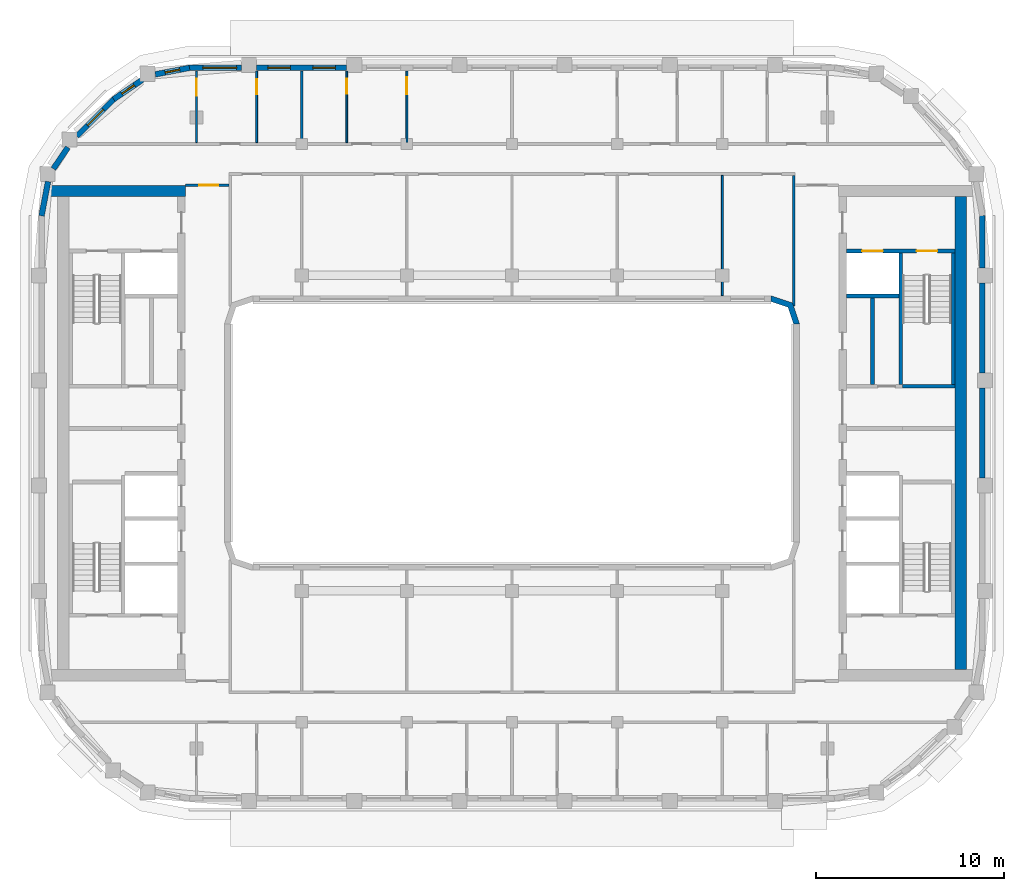
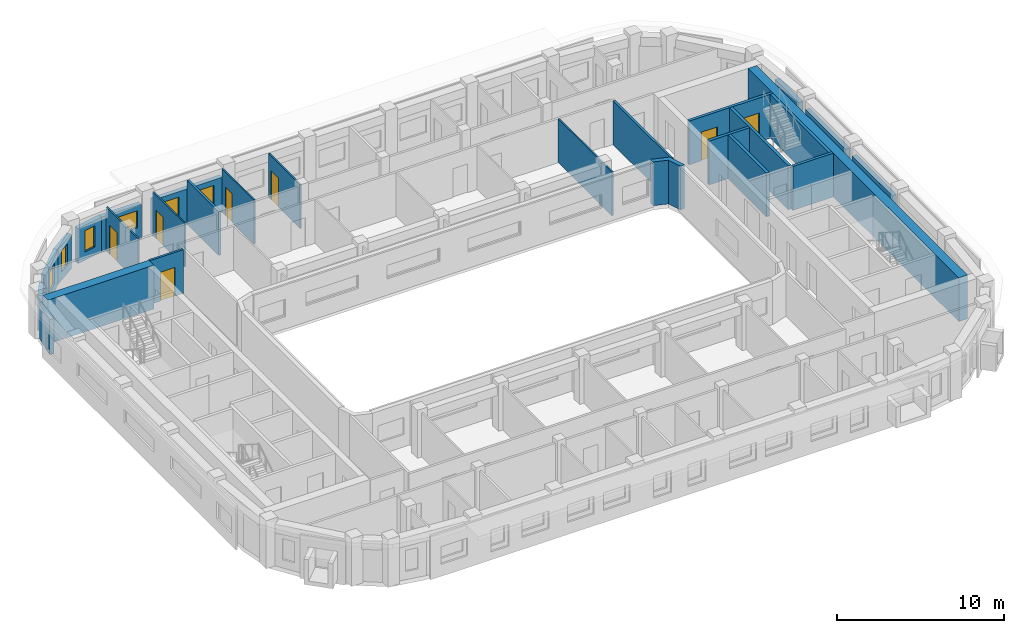
# One storey, part 6 of 15: 27 walls, 7 doors, 6 windows, 13 openings.
"""IFC4 building model written with IfcOpenShell, lengths in metres."""

from ifc_helpers import new_model, si_unit, direction, frame, frame_2d, origin, place, context, subcontext, project, spatial, polyline, rectangle, outline, extrude, material, layer, layer_set, type_object, element, fill, save


model = new_model("IFC4")

# Units and contexts
model_context = context("Model", 3, precision=1e-05, world=origin(), true_north=direction((0.0, 1.0)))
body_context = subcontext(model_context, "Body", "Model", "MODEL_VIEW")
ifc_project = project(units=[si_unit("LENGTHUNIT", "METRE"), si_unit("AREAUNIT", "SQUARE_METRE"), si_unit("VOLUMEUNIT", "CUBIC_METRE"), si_unit("PLANEANGLEUNIT", "RADIAN"), si_unit("MASSUNIT", "GRAM", prefix="KILO")], contexts=[model_context])

# Site, building, storey
site_placement = place(None, origin())
site = spatial("IfcSite", under=ifc_project, at=site_placement, CompositionType="ELEMENT")
building_placement = place(site_placement, origin())
building = spatial("IfcBuilding", under=site, at=building_placement, Name="Kiln Ring Residences", CompositionType="ELEMENT")
storey_placement = place(building_placement, frame((0.0, 0.0, 248.699951171875)))
storey = spatial("IfcBuildingStorey", under=building, at=storey_placement, Name="L64", CompositionType="ELEMENT", Elevation=248.699951171875)

# Walls
ifc_material_1 = material(Name="Gypsum board on steel studs", Category="steel")
ifc_layer_1 = layer(ifc_material_1, 0.199951171875)
ifc_layer_set_1 = layer_set([ifc_layer_1], Name="CORE-PARTITION-200")
wall_type_1 = type_object("IfcWallType", Name="CORE-PARTITION-200", PredefinedType="PARTITIONING", material=ifc_layer_set_1)
wall_1_placement = place(storey_placement, frame((19.199951171875, 2.60009765625, 0.0), z_axis=(0.0, 0.0, 1.0), x_axis=(0.0, 1.0, 0.0)))
element("IfcWall", 1, at=wall_1_placement, inside=storey, type_object=wall_type_1, Name="Core partition east L64 2", PredefinedType="PARTITIONING", context=body_context, shape_type="SweptSolid", body=[
    extrude(rectangle(XDim=4.599853515625, YDim=0.199951171875, at=frame_2d((2.2998046875, 0.0))), origin(), (0.0, 0.0, 1.0), 3.199951171875),
])
ifc_material_2 = material(Name="Gypsum shaft wall system")
ifc_layer_2 = layer(ifc_material_2, 0.199951171875)
ifc_layer_set_2 = layer_set([ifc_layer_2], Name="CORE-SHAFT-WALL-200")
wall_type_2 = type_object("IfcWallType", Name="CORE-SHAFT-WALL-200", PredefinedType="PARTITIONING", material=ifc_layer_set_2)
wall_2_placement = place(storey_placement, frame((17.800048828125, 7.300048828125, 0.0), z_axis=(0.0, 0.0, 1.0), x_axis=(1.0, 0.0, 0.0)))
element("IfcWall", 2, at=wall_2_placement, inside=storey, type_object=wall_type_2, Name="Core partition east L64 8", PredefinedType="PARTITIONING", context=body_context, shape_type="SweptSolid", body=[
    extrude(rectangle(XDim=2.800048828125, YDim=0.199951171875, at=frame_2d((1.39990234375, 0.0))), origin(), (0.0, 0.0, 1.0), 3.199951171875),
])
ifc_material_3 = material(Name="Concrete C40/50", Category="concrete")
ifc_layer_3 = layer(ifc_material_3, 0.199951171875)
ifc_layer_set_3 = layer_set([ifc_layer_3], Name="CORE-WALL-RC200")
wall_type_3 = type_object("IfcWallType", Name="CORE-WALL-RC200", PredefinedType="SHEAR", material=ifc_layer_set_3)
wall_3_placement = place(storey_placement, frame((20.699951171875, 2.60009765625, 0.0), z_axis=(0.0, 0.0, 1.0), x_axis=(0.0, 1.0, 0.0)))
element("IfcWall", 3, at=wall_3_placement, inside=storey, type_object=wall_type_3, Name="Core wall east L64 1", PredefinedType="SHEAR", context=body_context, shape_type="SweptSolid", body=[
    extrude(rectangle(XDim=7.0, YDim=0.199951171875, at=frame_2d((3.5, 0.0))), origin(), (0.0, 0.0, 1.0), 3.199951171875),
])
wall_4_placement = place(storey_placement, frame((20.800048828125, 2.5, 0.0), z_axis=(0.0, 0.0, 1.0), x_axis=(1.0, 0.0, 0.0)))
element("IfcWall", 4, at=wall_4_placement, inside=storey, type_object=wall_type_3, Name="Core wall east L64 3", PredefinedType="SHEAR", context=body_context, shape_type="SweptSolid", body=[
    extrude(rectangle(XDim=2.800048828125, YDim=0.199951171875, at=frame_2d((1.39990234375, 0.0))), origin(), (0.0, 0.0, 1.0), 3.199951171875),
])

# Wall, openings, doors
wall_5_placement = place(storey_placement, frame((17.800048828125, 9.699951171875, 0.0), z_axis=(0.0, 0.0, 1.0), x_axis=(1.0, 0.0, 0.0)))
wall_5 = element("IfcWall", 5, at=wall_5_placement, inside=storey, type_object=wall_type_3, Name="Core wall east L64 9", PredefinedType="SHEAR", context=body_context, shape_type="SweptSolid", body=[
    extrude(rectangle(XDim=5.800048828125, YDim=0.199951171875, at=frame_2d((2.89990234375, 0.0))), origin(), (0.0, 0.0, 1.0), 3.199951171875),
])
opening_1_placement = place(wall_5_placement, frame((0.85009765625, 0.0, 0.0)))
opening_1 = element("IfcOpeningElement", 6, at=opening_1_placement, cuts=wall_5, Name="Opening L64-CE07", PredefinedType="OPENING", context=body_context, shape_type="SweptSolid", body=[
    extrude(rectangle(XDim=1.10009765625, YDim=2.10009765625, at=frame_2d((0.550048828125, 1.050048828125))), frame((0.0, 0.10986328125, 0.0), z_axis=(0.0, -1.0, 0.0), x_axis=(1.0, 0.0, 0.0)), (0.0, 0.0, 1.0), 0.219970703125),
])
opening_2_placement = place(wall_5_placement, frame((3.75, 0.0, 0.0)))
opening_2 = element("IfcOpeningElement", 7, at=opening_2_placement, cuts=wall_5, Name="Opening L64-CE10", PredefinedType="OPENING", context=body_context, shape_type="SweptSolid", body=[
    extrude(rectangle(XDim=1.10009765625, YDim=2.10009765625, at=frame_2d((0.550048828125, 1.050048828125))), frame((0.0, 0.10986328125, 0.0), z_axis=(0.0, -1.0, 0.0), x_axis=(1.0, 0.0, 0.0)), (0.0, 0.0, 1.0), 0.219970703125),
])
ifc_material_4 = material(Name="Steel door leaf", Category="steel")
door_type_1 = type_object("IfcDoorType", Name="CORE-DOOR-LD", OperationType="DOUBLE_DOOR_SLIDING", PredefinedType="DOOR", material=ifc_material_4)
door_1_placement = place(opening_1_placement, origin())
door_1 = element("IfcDoor", 8, at=door_1_placement, inside=storey, type_object=door_type_1, Name="LD E-FF L64-CE07", OperationType="DOUBLE_DOOR_SLIDING", OverallHeight=2.10009765625, OverallWidth=1.10009765625, PredefinedType="DOOR", context=body_context, shape_type="SweptSolid", body=[
    extrude(rectangle(XDim=1.10009765625, YDim=2.10009765625, at=frame_2d((0.550048828125, 1.050048828125))), frame((0.0, 0.02490234375, 0.0), z_axis=(0.0, -1.0, 0.0), x_axis=(1.0, 0.0, 0.0)), (0.0, 0.0, 1.0), 0.050048828125),
])
fill(opening_1, door_1)
ifc_material_5 = material(Name="Steel door leaf", Category="steel")
door_type_2 = type_object("IfcDoorType", Name="CORE-DOOR-STAIR", OperationType="SINGLE_SWING_LEFT", PredefinedType="DOOR", material=ifc_material_5)
door_2_placement = place(opening_2_placement, origin())
door_2 = element("IfcDoor", 9, at=door_2_placement, inside=storey, type_object=door_type_2, Name="Stair E-STN L64-CE10", OperationType="SINGLE_SWING_LEFT", OverallHeight=2.10009765625, OverallWidth=1.10009765625, PredefinedType="DOOR", context=body_context, shape_type="SweptSolid", body=[
    extrude(rectangle(XDim=1.10009765625, YDim=2.10009765625, at=frame_2d((0.550048828125, 1.050048828125))), frame((0.0, 0.02490234375, 0.0), z_axis=(0.0, -1.0, 0.0), x_axis=(1.0, 0.0, 0.0)), (0.0, 0.0, 1.0), 0.050048828125),
])
fill(opening_2, door_2)

# Walls
wall_6_placement = place(storey_placement, frame((23.5, 2.60009765625, 0.0), z_axis=(0.0, 0.0, 1.0), x_axis=(0.0, 1.0, 0.0)))
element("IfcWall", 10, at=wall_6_placement, inside=storey, type_object=wall_type_3, Name="Core wall east L64 10", PredefinedType="SHEAR", context=body_context, shape_type="SweptSolid", body=[
    extrude(rectangle(XDim=7.0, YDim=0.199951171875, at=frame_2d((3.5, 0.0))), origin(), (0.0, 0.0, 1.0), 3.199951171875),
])
ifc_material_6 = material(Name="Concrete C60/75", Category="concrete")
ifc_layer_4 = layer(ifc_material_6, 0.60009765625)
ifc_layer_set_4 = layer_set([ifc_layer_4], Name="CORE-WALL-RC600")
wall_type_4 = type_object("IfcWallType", Name="CORE-WALL-RC600", PredefinedType="SHEAR", material=ifc_layer_set_4)
wall_7_placement = place(storey_placement, frame((-17.39990234375, 12.89990234375, 0.0), z_axis=(0.0, 0.0, 1.0), x_axis=(-1.0, 0.0, 0.0)))
element("IfcWall", 11, at=wall_7_placement, inside=storey, type_object=wall_type_4, Name="Core wall west L64 4", PredefinedType="SHEAR", context=body_context, shape_type="SweptSolid", body=[
    extrude(rectangle(XDim=7.320068359375, YDim=0.60009765625, at=frame_2d((3.66015625, 0.0))), origin(), (0.0, 0.0, 1.0), 3.199951171875),
])
wall_8_placement = place(storey_placement, frame((23.89990234375, -12.60009765625, 0.0), z_axis=(0.0, 0.0, 1.0), x_axis=(0.0, 1.0, 0.0)))
element("IfcWall", 12, at=wall_8_placement, inside=storey, type_object=wall_type_4, Name="Core wall east L64 7", PredefinedType="SHEAR", context=body_context, shape_type="SweptSolid", body=[
    extrude(rectangle(XDim=25.2001953125, YDim=0.60009765625, at=frame_2d((12.60009765625, 0.0))), origin(), (0.0, 0.0, 1.0), 3.199951171875),
])
ifc_material_7 = material(Name="Brick masonry, dark clay brick", Category="masonry")
ifc_layer_5 = layer(ifc_material_7, 0.300048828125)
ifc_layer_set_5 = layer_set([ifc_layer_5], Name="EW-300 BRICK WALL")
wall_type_5 = type_object("IfcWallType", Name="EW-300 BRICK WALL", PredefinedType="SOLIDWALL", material=ifc_layer_set_5)
wall_9_placement = place(storey_placement, frame((25.050048828125, -2.39990234375, 0.0), z_axis=(0.0, 0.0, 1.0), x_axis=(0.0, 1.0, 0.0)))
element("IfcWall", 13, at=wall_9_placement, inside=storey, type_object=wall_type_5, Name="Facade wall L64 18", PredefinedType="SOLIDWALL", context=body_context, shape_type="SweptSolid", body=[
    extrude(rectangle(XDim=4.7998046875, YDim=0.300048828125, at=frame_2d((2.39990234375, 0.0))), origin(), (0.0, 0.0, 1.0), 2.550048828125),
])
wall_10_placement = place(storey_placement, frame((25.050048828125, 3.199951171875, 0.0), z_axis=(0.0, 0.0, 1.0), x_axis=(0.0, 1.0, 0.0)))
element("IfcWall", 14, at=wall_10_placement, inside=storey, type_object=wall_type_5, Name="Facade wall L64 19", PredefinedType="SOLIDWALL", context=body_context, shape_type="SweptSolid", body=[
    extrude(rectangle(XDim=4.800048828125, YDim=0.300048828125, at=frame_2d((2.39990234375, 0.0))), origin(), (0.0, 0.0, 1.0), 2.550048828125),
])
wall_11_placement = place(storey_placement, frame((25.050048828125, 8.800048828125, 0.0), z_axis=(0.0, 0.0, 1.0), x_axis=(0.0, 1.0, 0.0)))
element("IfcWall", 15, at=wall_11_placement, inside=storey, type_object=wall_type_5, Name="Facade wall L64 20", PredefinedType="SOLIDWALL", context=body_context, shape_type="SweptSolid", body=[
    extrude(rectangle(XDim=2.800048828125, YDim=0.300048828125, at=frame_2d((1.39990234375, 0.0))), origin(), (0.0, 0.0, 1.0), 2.550048828125),
])

# Wall, openings, windows
wall_12_placement = place(storey_placement, frame((-8.800048828125, 19.449951171875, 0.0), z_axis=(0.0, 0.0, 1.0), x_axis=(-1.0, 0.0, 0.0)))
wall_12 = element("IfcWall", 16, at=wall_12_placement, inside=storey, type_object=wall_type_5, Name="Facade wall L64 31", PredefinedType="SOLIDWALL", context=body_context, shape_type="SweptSolid", body=[
    extrude(rectangle(XDim=4.800048828125, YDim=0.300048828125, at=frame_2d((2.39990234375, 0.0))), origin(), (0.0, 0.0, 1.0), 2.550048828125),
])
opening_3_placement = place(wall_12_placement, frame((0.60009765625, 0.0, 0.60009765625)))
opening_3 = element("IfcOpeningElement", 17, at=opening_3_placement, cuts=wall_12, Name="Opening W1", PredefinedType="OPENING", context=body_context, shape_type="SweptSolid", body=[
    extrude(rectangle(XDim=1.199951171875, YDim=1.550048828125, at=frame_2d((0.60009765625, 0.77490234375))), frame((0.0, 0.159912109375, 0.0), z_axis=(0.0, -1.0, 0.0), x_axis=(1.0, 0.0, 0.0)), (0.0, 0.0, 1.0), 0.320068359375),
])
opening_4_placement = place(wall_12_placement, frame((3.0, 0.0, 0.60009765625)))
opening_4 = element("IfcOpeningElement", 18, at=opening_4_placement, cuts=wall_12, Name="Opening W1", PredefinedType="OPENING", context=body_context, shape_type="SweptSolid", body=[
    extrude(rectangle(XDim=1.199951171875, YDim=1.550048828125, at=frame_2d((0.60009765625, 0.77490234375))), frame((0.0, 0.159912109375, 0.0), z_axis=(0.0, -1.0, 0.0), x_axis=(1.0, 0.0, 0.0)), (0.0, 0.0, 1.0), 0.320068359375),
])
ifc_material_8 = material(Name="Aluminium frame with double glazing", Category="aluminium")
window_type_1 = type_object("IfcWindowType", Name="WINDOW 1200 x 1550", PartitioningType="SINGLE_PANEL", PredefinedType="WINDOW", material=ifc_material_8)
window_1_placement = place(opening_3_placement, origin())
window_1 = element("IfcWindow", 19, at=window_1_placement, inside=storey, type_object=window_type_1, Name="Window L64 30", OverallHeight=1.550048828125, OverallWidth=1.199951171875, PartitioningType="SINGLE_PANEL", PredefinedType="WINDOW", context=body_context, shape_type="SweptSolid", body=[
    extrude(rectangle(XDim=1.199951171875, YDim=1.550048828125, at=frame_2d((0.60009765625, 0.77490234375))), frame((0.0, 0.030029296875, 0.0), z_axis=(0.0, -1.0, 0.0), x_axis=(1.0, 0.0, 0.0)), (0.0, 0.0, 1.0), 0.06005859375),
])
fill(opening_3, window_1)
window_2_placement = place(opening_4_placement, origin())
window_2 = element("IfcWindow", 20, at=window_2_placement, inside=storey, type_object=window_type_1, Name="Window L64 31", OverallHeight=1.550048828125, OverallWidth=1.199951171875, PartitioningType="SINGLE_PANEL", PredefinedType="WINDOW", context=body_context, shape_type="SweptSolid", body=[
    extrude(rectangle(XDim=1.199951171875, YDim=1.550048828125, at=frame_2d((0.60009765625, 0.77490234375))), frame((0.0, 0.030029296875, 0.0), z_axis=(0.0, -1.0, 0.0), x_axis=(1.0, 0.0, 0.0)), (0.0, 0.0, 1.0), 0.06005859375),
])
fill(opening_4, window_2)

# Wall, opening, window
wall_13_placement = place(storey_placement, frame((-14.39990234375, 19.449951171875, 0.0), z_axis=(0.0, 0.0, 1.0), x_axis=(-1.0, 0.0, 0.0)))
wall_13 = element("IfcWall", 21, at=wall_13_placement, inside=storey, type_object=wall_type_5, Name="Facade wall L64 32", PredefinedType="SOLIDWALL", context=body_context, shape_type="SweptSolid", body=[
    extrude(rectangle(XDim=2.800048828125, YDim=0.300048828125, at=frame_2d((1.39990234375, 0.0))), origin(), (0.0, 0.0, 1.0), 2.550048828125),
])
opening_5_placement = place(wall_13_placement, frame((0.262451171875, 0.0, 0.89990234375)))
opening_5 = element("IfcOpeningElement", 22, at=opening_5_placement, cuts=wall_13, Name="Opening W2", PredefinedType="OPENING", context=body_context, shape_type="SweptSolid", body=[
    extrude(rectangle(XDim=1.800048828125, YDim=1.25, at=frame_2d((0.89990234375, 0.625))), frame((0.0, 0.159912109375, 0.0), z_axis=(0.0, -1.0, 0.0), x_axis=(1.0, 0.0, 0.0)), (0.0, 0.0, 1.0), 0.320068359375),
])
ifc_material_9 = material(Name="Aluminium frame with double glazing", Category="aluminium")
window_type_2 = type_object("IfcWindowType", Name="WINDOW 1800 x 1250", PartitioningType="SINGLE_PANEL", PredefinedType="WINDOW", material=ifc_material_9)
window_3_placement = place(opening_5_placement, origin())
window_3 = element("IfcWindow", 23, at=window_3_placement, inside=storey, type_object=window_type_2, Name="Window L64 32", OverallHeight=1.25, OverallWidth=1.800048828125, PartitioningType="SINGLE_PANEL", PredefinedType="WINDOW", context=body_context, shape_type="SweptSolid", body=[
    extrude(rectangle(XDim=1.800048828125, YDim=1.25, at=frame_2d((0.89990234375, 0.625))), frame((0.0, 0.030029296875, 0.0), z_axis=(0.0, -1.0, 0.0), x_axis=(1.0, 0.0, 0.0)), (0.0, 0.0, 1.0), 0.06005859375),
])
fill(opening_5, window_3)

wall_14_placement = place(storey_placement, frame((-17.171875, 19.45263671875, 0.0), z_axis=(0.0, 0.0, 1.0), x_axis=(-0.982301706131, -0.187305520826, 0.0)))
wall_14 = element("IfcWall", 24, at=wall_14_placement, inside=storey, type_object=wall_type_5, Name="Facade wall L64 33", PredefinedType="SOLIDWALL", context=body_context, shape_type="SweptSolid", body=[
    extrude(rectangle(XDim=1.856201171875, YDim=0.300048828125, at=frame_2d((0.92822265625, 0.0))), origin(), (0.0, 0.0, 1.0), 2.550048828125),
])
opening_6_placement = place(wall_14_placement, frame((0.528076171875, 0.0, 0.60009765625)))
opening_6 = element("IfcOpeningElement", 25, at=opening_6_placement, cuts=wall_14, Name="Opening W5", PredefinedType="OPENING", context=body_context, shape_type="SweptSolid", body=[
    extrude(rectangle(XDim=0.800048828125, YDim=1.550048828125, at=frame_2d((0.39990234375, 0.77490234375))), frame((0.0, 0.159912109375, 0.0), z_axis=(0.0, -1.0, 0.0), x_axis=(1.0, 0.0, 0.0)), (0.0, 0.0, 1.0), 0.320068359375),
])
ifc_material_10 = material(Name="Aluminium frame with double glazing", Category="aluminium")
window_type_3 = type_object("IfcWindowType", Name="WINDOW 800 x 1550", PartitioningType="SINGLE_PANEL", PredefinedType="WINDOW", material=ifc_material_10)
window_4_placement = place(opening_6_placement, origin())
window_4 = element("IfcWindow", 26, at=window_4_placement, inside=storey, type_object=window_type_3, Name="Window L64 33", OverallHeight=1.550048828125, OverallWidth=0.800048828125, PartitioningType="SINGLE_PANEL", PredefinedType="WINDOW", context=body_context, shape_type="SweptSolid", body=[
    extrude(rectangle(XDim=0.800048828125, YDim=1.550048828125, at=frame_2d((0.39990234375, 0.77490234375))), frame((0.0, 0.030029296875, 0.0), z_axis=(0.0, -1.0, 0.0), x_axis=(1.0, 0.0, 0.0)), (0.0, 0.0, 1.0), 0.06005859375),
])
fill(opening_6, window_4)

wall_15_placement = place(storey_placement, frame((-19.677734375, 18.822265625, 0.0), z_axis=(0.0, 0.0, 1.0), x_axis=(-0.826997446962, -0.562205676526, 0.0)))
wall_15 = element("IfcWall", 27, at=wall_15_placement, inside=storey, type_object=wall_type_5, Name="Facade wall L64 34", PredefinedType="SOLIDWALL", context=body_context, shape_type="SweptSolid", body=[
    extrude(rectangle(XDim=1.85595703125, YDim=0.300048828125, at=frame_2d((0.927978515625, 0.0))), origin(), (0.0, 0.0, 1.0), 2.550048828125),
])
opening_7_placement = place(wall_15_placement, frame((0.528076171875, 0.0, 0.60009765625)))
opening_7 = element("IfcOpeningElement", 28, at=opening_7_placement, cuts=wall_15, Name="Opening W5", PredefinedType="OPENING", context=body_context, shape_type="SweptSolid", body=[
    extrude(rectangle(XDim=0.800048828125, YDim=1.550048828125, at=frame_2d((0.39990234375, 0.77490234375))), frame((0.0, 0.159912109375, 0.0), z_axis=(0.0, -1.0, 0.0), x_axis=(1.0, 0.0, 0.0)), (0.0, 0.0, 1.0), 0.320068359375),
])
window_5_placement = place(opening_7_placement, origin())
window_5 = element("IfcWindow", 29, at=window_5_placement, inside=storey, type_object=window_type_3, Name="Window L64 34", OverallHeight=1.550048828125, OverallWidth=0.800048828125, PartitioningType="SINGLE_PANEL", PredefinedType="WINDOW", context=body_context, shape_type="SweptSolid", body=[
    extrude(rectangle(XDim=0.800048828125, YDim=1.550048828125, at=frame_2d((0.39990234375, 0.77490234375))), frame((0.0, 0.030029296875, 0.0), z_axis=(0.0, -1.0, 0.0), x_axis=(1.0, 0.0, 0.0)), (0.0, 0.0, 1.0), 0.06005859375),
])
fill(opening_7, window_5)

wall_16_placement = place(storey_placement, frame((-21.19091796875, 17.796875, 0.0), z_axis=(0.0, 0.0, 1.0), x_axis=(-0.707106781187, -0.707106781187, 0.0)))
wall_16 = element("IfcWall", 30, at=wall_16_placement, inside=storey, type_object=wall_type_5, Name="Facade wall L64 35", PredefinedType="SOLIDWALL", context=body_context, shape_type="SweptSolid", body=[
    extrude(rectangle(XDim=2.800048828125, YDim=0.300048828125, at=frame_2d((1.39990234375, 0.0))), origin(), (0.0, 0.0, 1.0), 2.550048828125),
])
opening_8_placement = place(wall_16_placement, frame((0.800048828125, 0.0, 0.60009765625)))
opening_8 = element("IfcOpeningElement", 31, at=opening_8_placement, cuts=wall_16, Name="Opening W1", PredefinedType="OPENING", context=body_context, shape_type="SweptSolid", body=[
    extrude(rectangle(XDim=1.199951171875, YDim=1.550048828125, at=frame_2d((0.60009765625, 0.77490234375))), frame((0.0, 0.159912109375, 0.0), z_axis=(0.0, -1.0, 0.0), x_axis=(1.0, 0.0, 0.0)), (0.0, 0.0, 1.0), 0.320068359375),
])
window_6_placement = place(opening_8_placement, origin())
window_6 = element("IfcWindow", 32, at=window_6_placement, inside=storey, type_object=window_type_1, Name="Window L64 35", OverallHeight=1.550048828125, OverallWidth=1.199951171875, PartitioningType="SINGLE_PANEL", PredefinedType="WINDOW", context=body_context, shape_type="SweptSolid", body=[
    extrude(rectangle(XDim=1.199951171875, YDim=1.550048828125, at=frame_2d((0.60009765625, 0.77490234375))), frame((0.0, 0.030029296875, 0.0), z_axis=(0.0, -1.0, 0.0), x_axis=(1.0, 0.0, 0.0)), (0.0, 0.0, 1.0), 0.06005859375),
])
fill(opening_8, window_6)

# Walls
wall_17_placement = place(storey_placement, frame((-23.648193359375, 15.216552734375, 0.0), z_axis=(0.0, 0.0, 1.0), x_axis=(-0.562043265151, -0.827107833416, 0.0)))
element("IfcWall", 33, at=wall_17_placement, inside=storey, type_object=wall_type_5, Name="Facade wall L64 36", PredefinedType="SOLIDWALL", context=body_context, shape_type="SweptSolid", body=[
    extrude(rectangle(XDim=1.376953125, YDim=0.300048828125, at=frame_2d((0.6884765625, 0.0))), origin(), (0.0, 0.0, 1.0), 2.550048828125),
])
wall_18_placement = place(storey_placement, frame((-24.704833984375, 13.395263671875, 0.0), z_axis=(0.0, 0.0, 1.0), x_axis=(-0.187408222942, -0.982282117303, 0.0)))
element("IfcWall", 34, at=wall_18_placement, inside=storey, type_object=wall_type_5, Name="Facade wall L64 37", PredefinedType="SOLIDWALL", context=body_context, shape_type="SweptSolid", body=[
    extrude(rectangle(XDim=1.8564453125, YDim=0.300048828125, at=frame_2d((0.92822265625, 0.0))), origin(), (0.0, 0.0, 1.0), 2.550048828125),
])
wall_19_placement = place(storey_placement, origin())
element("IfcWall", 35, at=wall_19_placement, inside=storey, type_object=wall_type_5, Name="Corner wall L64 2", PredefinedType="SOLIDWALL", context=body_context, shape_type="SweptSolid", body=[
    extrude(outline(polyline([(14.937255859375, 6.937255859375), (13.8486328125, 7.300048828125), (13.800048828125, 7.300048828125), (13.800048828125, 7.0), (14.699951171875, 6.699951171875), (15.0, 5.800048828125), (15.300048828125, 5.800048828125), (15.300048828125, 5.8486328125), (14.937255859375, 6.937255859375)])), origin(), (0.0, 0.0, 1.0), 3.199951171875),
])

# Wall, opening, door
ifc_material_11 = material(Name="Gypsum board on steel studs", Category="steel")
ifc_layer_6 = layer(ifc_material_11, 0.10009765625)
ifc_layer_set_6 = layer_set([ifc_layer_6], Name="PARTITION-100")
wall_type_6 = type_object("IfcWallType", Name="PARTITION-100", PredefinedType="PARTITIONING", material=ifc_layer_set_6)
wall_20_placement = place(storey_placement, frame((-16.800048828125, 15.47509765625, 0.0), z_axis=(0.0, 0.0, 1.0), x_axis=(0.0, 1.0, 0.0)))
wall_20 = element("IfcWall", 36, at=wall_20_placement, inside=storey, type_object=wall_type_6, Name="Partition 009", PredefinedType="PARTITIONING", context=body_context, shape_type="SweptSolid", body=[
    extrude(rectangle(XDim=3.804931640625, YDim=0.10009765625, at=frame_2d((1.90234375, 0.0))), origin(), (0.0, 0.0, 1.0), 3.199951171875),
])
opening_9_placement = place(wall_20_placement, frame((2.485107421875, 0.0, 0.0)))
opening_9 = element("IfcOpeningElement", 37, at=opening_9_placement, cuts=wall_20, Name="Opening L64-D013", PredefinedType="OPENING", context=body_context, shape_type="SweptSolid", body=[
    extrude(rectangle(XDim=0.89990234375, YDim=2.10009765625, at=frame_2d((0.449951171875, 1.050048828125))), frame((0.0, 0.06005859375, 0.0), z_axis=(0.0, -1.0, 0.0), x_axis=(1.0, 0.0, 0.0)), (0.0, 0.0, 1.0), 0.1201171875),
])
ifc_material_12 = material(Name="Timber door leaf", Category="wood")
door_type_3 = type_object("IfcDoorType", Name="FLAT-DOOR-900-PL", OperationType="SINGLE_SWING_LEFT", PredefinedType="DOOR", material=ifc_material_12)
door_3_placement = place(opening_9_placement, origin())
door_3 = element("IfcDoor", 38, at=door_3_placement, inside=storey, type_object=door_type_3, Name="Door L64-D013", OperationType="SINGLE_SWING_LEFT", OverallHeight=2.10009765625, OverallWidth=0.89990234375, PredefinedType="DOOR", context=body_context, shape_type="SweptSolid", body=[
    extrude(rectangle(XDim=0.89990234375, YDim=2.10009765625, at=frame_2d((0.449951171875, 1.050048828125))), frame((0.0, 0.02490234375, 0.0), z_axis=(0.0, -1.0, 0.0), x_axis=(1.0, 0.0, 0.0)), (0.0, 0.0, 1.0), 0.050048828125),
])
fill(opening_9, door_3)

wall_21_placement = place(storey_placement, frame((-13.60009765625, 15.47509765625, 0.0), z_axis=(0.0, 0.0, 1.0), x_axis=(0.0, 1.0, 0.0)))
wall_21 = element("IfcWall", 39, at=wall_21_placement, inside=storey, type_object=wall_type_6, Name="Partition 013", PredefinedType="PARTITIONING", context=body_context, shape_type="SweptSolid", body=[
    extrude(rectangle(XDim=3.804931640625, YDim=0.10009765625, at=frame_2d((1.90234375, 0.0))), origin(), (0.0, 0.0, 1.0), 3.199951171875),
])
opening_10_placement = place(wall_21_placement, frame((2.575927734375, 0.0, 0.0)))
opening_10 = element("IfcOpeningElement", 40, at=opening_10_placement, cuts=wall_21, Name="Opening L64-D012", PredefinedType="OPENING", context=body_context, shape_type="SweptSolid", body=[
    extrude(rectangle(XDim=0.800048828125, YDim=2.10009765625, at=frame_2d((0.39990234375, 1.050048828125))), frame((0.0, 0.06005859375, 0.0), z_axis=(0.0, -1.0, 0.0), x_axis=(1.0, 0.0, 0.0)), (0.0, 0.0, 1.0), 0.1201171875),
])
ifc_material_13 = material(Name="Timber door leaf", Category="wood")
door_type_4 = type_object("IfcDoorType", Name="FLAT-DOOR-800-PL", OperationType="SINGLE_SWING_LEFT", PredefinedType="DOOR", material=ifc_material_13)
door_4_placement = place(opening_10_placement, origin())
door_4 = element("IfcDoor", 41, at=door_4_placement, inside=storey, type_object=door_type_4, Name="Door L64-D012", OperationType="SINGLE_SWING_RIGHT", OverallHeight=2.10009765625, OverallWidth=0.800048828125, PredefinedType="DOOR", context=body_context, shape_type="SweptSolid", body=[
    extrude(rectangle(XDim=0.800048828125, YDim=2.10009765625, at=frame_2d((0.39990234375, 1.050048828125))), frame((0.0, 0.02490234375, 0.0), z_axis=(0.0, -1.0, 0.0), x_axis=(1.0, 0.0, 0.0)), (0.0, 0.0, 1.0), 0.050048828125),
])
fill(opening_10, door_4)

wall_22_placement = place(storey_placement, frame((-8.800048828125, 15.47509765625, 0.0), z_axis=(0.0, 0.0, 1.0), x_axis=(0.0, 1.0, 0.0)))
wall_22 = element("IfcWall", 42, at=wall_22_placement, inside=storey, type_object=wall_type_6, Name="Partition 018", PredefinedType="PARTITIONING", context=body_context, shape_type="SweptSolid", body=[
    extrude(rectangle(XDim=3.804931640625, YDim=0.10009765625, at=frame_2d((1.90234375, 0.0))), origin(), (0.0, 0.0, 1.0), 3.199951171875),
])
opening_11_placement = place(wall_22_placement, frame((2.5849609375, 0.0, 0.0)))
opening_11 = element("IfcOpeningElement", 43, at=opening_11_placement, cuts=wall_22, Name="Opening L64-D015", PredefinedType="OPENING", context=body_context, shape_type="SweptSolid", body=[
    extrude(rectangle(XDim=0.800048828125, YDim=2.10009765625, at=frame_2d((0.39990234375, 1.050048828125))), frame((0.0, 0.06005859375, 0.0), z_axis=(0.0, -1.0, 0.0), x_axis=(1.0, 0.0, 0.0)), (0.0, 0.0, 1.0), 0.1201171875),
])
door_5_placement = place(opening_11_placement, origin())
door_5 = element("IfcDoor", 44, at=door_5_placement, inside=storey, type_object=door_type_4, Name="Door L64-D015", OperationType="SINGLE_SWING_LEFT", OverallHeight=2.10009765625, OverallWidth=0.800048828125, PredefinedType="DOOR", context=body_context, shape_type="SweptSolid", body=[
    extrude(rectangle(XDim=0.800048828125, YDim=2.10009765625, at=frame_2d((0.39990234375, 1.050048828125))), frame((0.0, 0.02490234375, 0.0), z_axis=(0.0, -1.0, 0.0), x_axis=(1.0, 0.0, 0.0)), (0.0, 0.0, 1.0), 0.050048828125),
])
fill(opening_11, door_5)

wall_23_placement = place(storey_placement, frame((-5.60009765625, 15.47509765625, 0.0), z_axis=(0.0, 0.0, 1.0), x_axis=(0.0, 1.0, 0.0)))
wall_23 = element("IfcWall", 45, at=wall_23_placement, inside=storey, type_object=wall_type_6, Name="Partition 022", PredefinedType="PARTITIONING", context=body_context, shape_type="SweptSolid", body=[
    extrude(rectangle(XDim=3.804931640625, YDim=0.10009765625, at=frame_2d((1.90234375, 0.0))), origin(), (0.0, 0.0, 1.0), 3.199951171875),
])
opening_12_placement = place(wall_23_placement, frame((2.575927734375, 0.0, 0.0)))
opening_12 = element("IfcOpeningElement", 46, at=opening_12_placement, cuts=wall_23, Name="Opening L64-D016", PredefinedType="OPENING", context=body_context, shape_type="SweptSolid", body=[
    extrude(rectangle(XDim=0.89990234375, YDim=2.10009765625, at=frame_2d((0.449951171875, 1.050048828125))), frame((0.0, 0.06005859375, 0.0), z_axis=(0.0, -1.0, 0.0), x_axis=(1.0, 0.0, 0.0)), (0.0, 0.0, 1.0), 0.1201171875),
])
door_6_placement = place(opening_12_placement, origin())
door_6 = element("IfcDoor", 47, at=door_6_placement, inside=storey, type_object=door_type_3, Name="Door L64-D016", OperationType="SINGLE_SWING_RIGHT", OverallHeight=2.10009765625, OverallWidth=0.89990234375, PredefinedType="DOOR", context=body_context, shape_type="SweptSolid", body=[
    extrude(rectangle(XDim=0.89990234375, YDim=2.10009765625, at=frame_2d((0.449951171875, 1.050048828125))), frame((0.0, 0.02490234375, 0.0), z_axis=(0.0, -1.0, 0.0), x_axis=(1.0, 0.0, 0.0)), (0.0, 0.0, 1.0), 0.050048828125),
])
fill(opening_12, door_6)

# Wall
wall_24_placement = place(storey_placement, frame((11.199951171875, 7.320068359375, 0.0), z_axis=(0.0, 0.0, 1.0), x_axis=(0.0, 1.0, 0.0)))
element("IfcWall", 48, at=wall_24_placement, inside=storey, type_object=wall_type_6, Name="Partition 035", PredefinedType="PARTITIONING", context=body_context, shape_type="SweptSolid", body=[
    extrude(rectangle(XDim=6.405029296875, YDim=0.10009765625, at=frame_2d((3.20263671875, 0.0))), origin(), (0.0, 0.0, 1.0), 3.199951171875),
])

# Wall, opening, door
ifc_material_14 = material(Name="Brick masonry partition", Category="masonry")
ifc_layer_7 = layer(ifc_material_14, 0.14990234375)
ifc_layer_set_7 = layer_set([ifc_layer_7], Name="PARTITION-150-ei60")
wall_type_7 = type_object("IfcWallType", Name="PARTITION-150-ei60", PredefinedType="PARTITIONING", material=ifc_layer_set_7)
wall_25_placement = place(storey_placement, frame((-17.39990234375, 13.199951171875, 0.0), z_axis=(0.0, 0.0, 1.0), x_axis=(1.0, 0.0, 0.0)))
wall_25 = element("IfcWall", 49, at=wall_25_placement, inside=storey, type_object=wall_type_7, Name="Partition 004", PredefinedType="PARTITIONING", context=body_context, shape_type="SweptSolid", body=[
    extrude(rectangle(XDim=2.324951171875, YDim=0.14990234375, at=frame_2d((1.16259765625, 0.0))), origin(), (0.0, 0.0, 1.0), 3.199951171875),
])
opening_13_placement = place(wall_25_placement, frame((0.75, 0.0, 0.0)))
opening_13 = element("IfcOpeningElement", 50, at=opening_13_placement, cuts=wall_25, Name="Opening L64-D001", PredefinedType="OPENING", context=body_context, shape_type="SweptSolid", body=[
    extrude(rectangle(XDim=1.0, YDim=2.10009765625, at=frame_2d((0.5, 1.050048828125))), frame((0.0, 0.0849609375, 0.0), z_axis=(0.0, -1.0, 0.0), x_axis=(1.0, 0.0, 0.0)), (0.0, 0.0, 1.0), 0.169921875),
])
ifc_material_15 = material(Name="Steel faced fire door leaf", Category="steel")
door_type_5 = type_object("IfcDoorType", Name="FLAT-DOOR-1000-FR", OperationType="SINGLE_SWING_LEFT", PredefinedType="DOOR", material=ifc_material_15)
door_7_placement = place(opening_13_placement, origin())
door_7 = element("IfcDoor", 51, at=door_7_placement, inside=storey, type_object=door_type_5, Name="Door L64-D001", OperationType="SINGLE_SWING_RIGHT", OverallHeight=2.10009765625, OverallWidth=1.0, PredefinedType="DOOR", context=body_context, shape_type="SweptSolid", body=[
    extrude(rectangle(XDim=1.0, YDim=2.10009765625, at=frame_2d((0.5, 1.050048828125))), frame((0.0, 0.02490234375, 0.0), z_axis=(0.0, -1.0, 0.0), x_axis=(1.0, 0.0, 0.0)), (0.0, 0.0, 1.0), 0.050048828125),
])
fill(opening_13, door_7)

# Walls
wall_26_placement = place(storey_placement, frame((-11.199951171875, 15.47509765625, 0.0), z_axis=(0.0, 0.0, 1.0), x_axis=(0.0, 1.0, 0.0)))
element("IfcWall", 52, at=wall_26_placement, inside=storey, type_object=wall_type_7, Name="Partition 017", PredefinedType="PARTITIONING", context=body_context, shape_type="SweptSolid", body=[
    extrude(rectangle(XDim=3.804931640625, YDim=0.14990234375, at=frame_2d((1.90234375, 0.0))), origin(), (0.0, 0.0, 1.0), 3.199951171875),
])
wall_27_placement = place(storey_placement, frame((15.0, 6.768798828125, 0.0), z_axis=(0.0, 0.0, 1.0), x_axis=(0.0, 1.0, 0.0)))
element("IfcWall", 53, at=wall_27_placement, inside=storey, type_object=wall_type_7, Name="Partition 041", PredefinedType="PARTITIONING", context=body_context, shape_type="SweptSolid", body=[
    extrude(rectangle(XDim=6.956298828125, YDim=0.14990234375, at=frame_2d((3.47802734375, 0.0))), origin(), (0.0, 0.0, 1.0), 3.199951171875),
])

save(model, "model.ifc")
